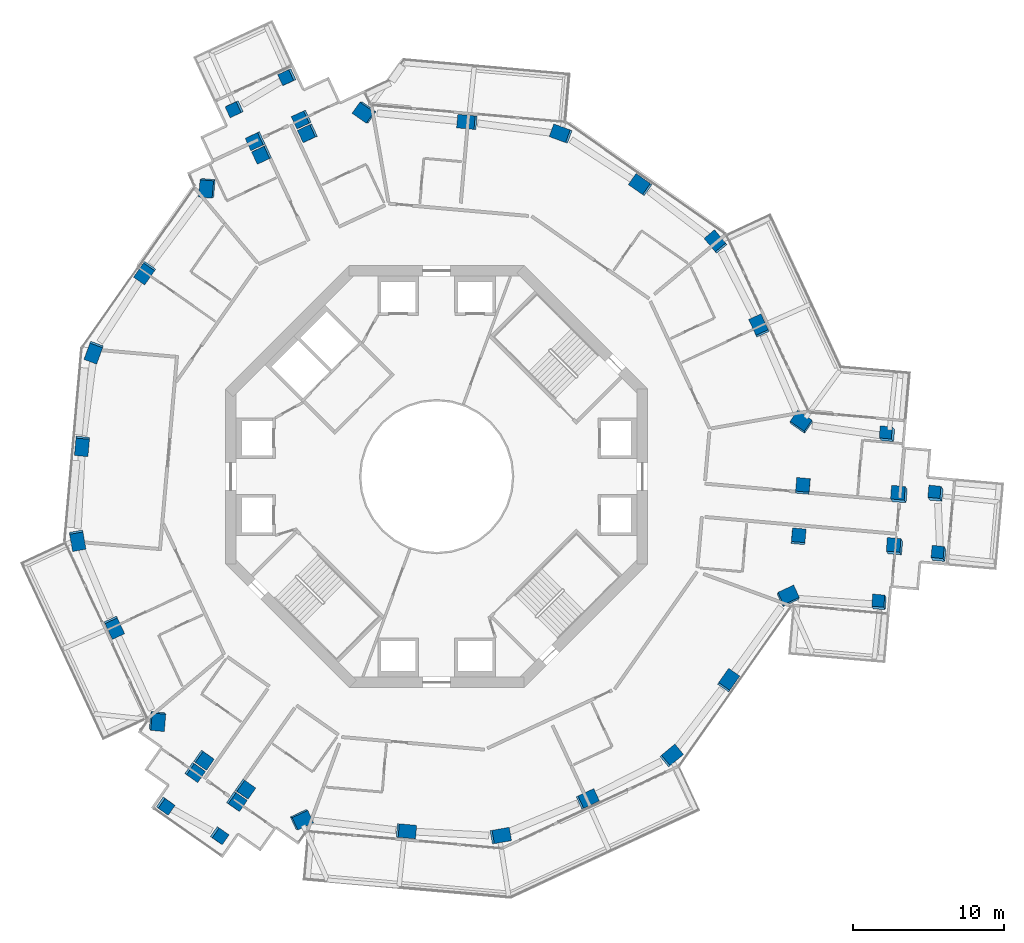
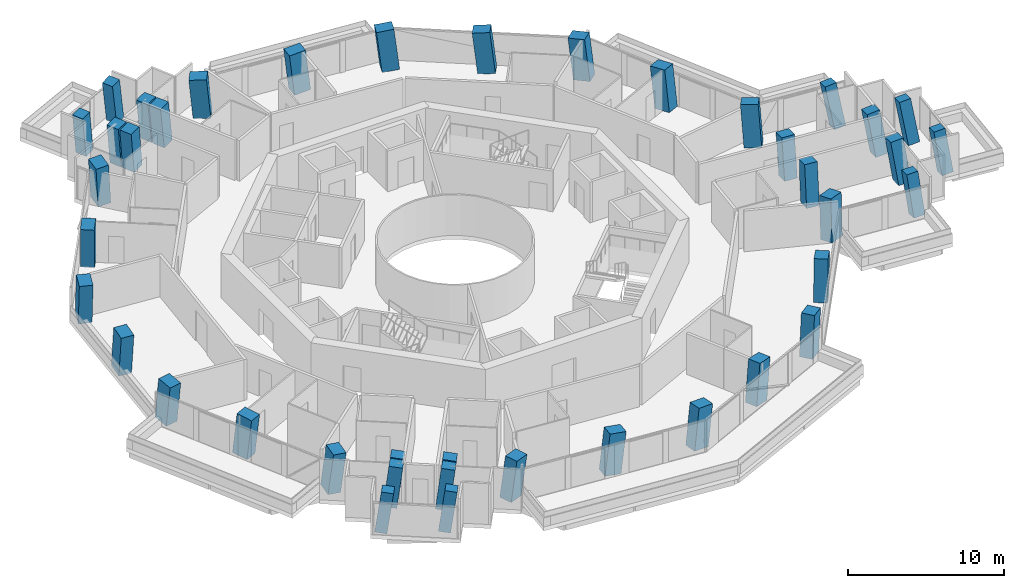
# One storey, part 1 of 23: 41 columns.
"""IFC4 building model written with IfcOpenShell, lengths in metres."""

from ifc_helpers import new_model, si_unit, direction, frame, origin, origin_2d, place, context, subcontext, project, spatial, rectangle, extrude, material, material_profile, profile_set, type_object, element, save


model = new_model("IFC4")

# Units and contexts
model_context = context("Model", 3, precision=1e-05, world=origin(), true_north=direction((0.0, 1.0)))
body_context = subcontext(model_context, "Body", "Model", "MODEL_VIEW")
ifc_project = project(units=[si_unit("LENGTHUNIT", "METRE"), si_unit("AREAUNIT", "SQUARE_METRE"), si_unit("VOLUMEUNIT", "CUBIC_METRE"), si_unit("PLANEANGLEUNIT", "RADIAN"), si_unit("MASSUNIT", "GRAM", prefix="KILO")], contexts=[model_context])

# Site, building, storey
site_placement = place(None, origin())
site = spatial("IfcSite", under=ifc_project, at=site_placement, CompositionType="ELEMENT")
building_placement = place(site_placement, origin())
building = spatial("IfcBuilding", under=site, at=building_placement, Name="Verdalira Terraces Hotel", CompositionType="ELEMENT")
storey_placement = place(building_placement, frame((0.0, 0.0, 136.5)))
storey = spatial("IfcBuildingStorey", under=building, at=storey_placement, Name="L32", CompositionType="ELEMENT", Elevation=136.5)

# Columns
ifc_material_1 = material(Name="Concrete C60", Category="concrete")
ifc_material_profile_1 = material_profile(ifc_material_1, rectangle(XDim=1.149902, YDim=0.899902, at=origin_2d()), Name="RC 1150X900")
ifc_profile_set_1 = profile_set([ifc_material_profile_1], Name="Concrete C60")
column_type_1 = type_object("IfcColumnType", Name="Column RC 1150X900 C60", PredefinedType="COLUMN", material=ifc_profile_set_1)
column_1_placement = place(storey_placement, frame((-15.186279, 19.166504, 0.0), z_axis=(-0.090534241, -0.072974703, 0.993216111), x_axis=(0.080826173, 0.993483318, 0.080361852)))
element("IfcColumn", 1, at=column_1_placement, inside=storey, type_object=column_type_1, Name="Column C01", PredefinedType="COLUMN", context=body_context, shape_type="SweptSolid", body=[
    extrude(rectangle(XDim=1.149902, YDim=0.899902, at=origin_2d()), origin(), (0.0, 0.0, 1.0), 3.21167),
])
column_2_placement = place(storey_placement, frame((-19.329346, 13.554688, 0.0), z_axis=(-0.063730151, -0.092477164, 0.993673207), x_axis=(-0.57078057, -0.813386058, -0.112306105)))
element("IfcColumn", 2, at=column_2_placement, inside=storey, type_object=column_type_1, Name="Column C02", PredefinedType="COLUMN", context=body_context, shape_type="SweptSolid", body=[
    extrude(rectangle(XDim=1.149902, YDim=0.899902, at=origin_2d()), origin(), (0.0, 0.0, 1.0), 3.210205),
])
column_3_placement = place(storey_placement, frame((-22.727783, 8.290283, 0.0), z_axis=(-0.038545284, -0.108413363, 0.993358346), x_axis=(0.340705914, 0.933103009, 0.115057614)))
element("IfcColumn", 3, at=column_3_placement, inside=storey, type_object=column_type_1, Name="Column C03", PredefinedType="COLUMN", context=body_context, shape_type="SweptSolid", body=[
    extrude(rectangle(XDim=1.149902, YDim=0.899902, at=origin_2d()), origin(), (0.0, 0.0, 1.0), 3.211182),
])
column_4_placement = place(storey_placement, frame((-23.51709, 2.073975, 0.0), z_axis=(-0.008897896, -0.111946178, 0.993674434), x_axis=(-0.087134884, -0.989847104, -0.112295249)))
element("IfcColumn", 4, at=column_4_placement, inside=storey, type_object=column_type_1, Name="Column C04", PredefinedType="COLUMN", context=body_context, shape_type="SweptSolid", body=[
    extrude(rectangle(XDim=1.149902, YDim=0.899902, at=origin_2d()), origin(), (0.0, 0.0, 1.0), 3.210205),
])
column_5_placement = place(storey_placement, frame((-23.828125, -4.184326, 0.0), z_axis=(0.020907251, -0.113127235, 0.993360516), x_axis=(-0.172228343, 0.978316643, 0.115038876)))
element("IfcColumn", 5, at=column_5_placement, inside=storey, type_object=column_type_1, Name="Column C05", PredefinedType="COLUMN", context=body_context, shape_type="SweptSolid", body=[
    extrude(rectangle(XDim=1.149902, YDim=0.899902, at=origin_2d()), origin(), (0.0, 0.0, 1.0), 3.211182),
])
column_6_placement = place(storey_placement, frame((-21.40332, -9.962402, 0.0), z_axis=(0.048216176, -0.101375651, 0.993679112), x_axis=(0.419168471, -0.90094221, -0.112253848)))
element("IfcColumn", 6, at=column_6_placement, inside=storey, type_object=column_type_1, Name="Column C06", PredefinedType="COLUMN", context=body_context, shape_type="SweptSolid", body=[
    extrude(rectangle(XDim=1.149902, YDim=0.899902, at=origin_2d()), origin(), (0.0, 0.0, 1.0), 3.210205),
])
column_7_placement = place(storey_placement, frame((-18.55957, -16.19043, 0.0), z_axis=(0.077680582, -0.087561673, 0.993125712), x_axis=(0.094435426, 0.992303143, 0.080102573)))
element("IfcColumn", 7, at=column_7_placement, inside=storey, type_object=column_type_1, Name="Column C07", PredefinedType="COLUMN", context=body_context, shape_type="SweptSolid", body=[
    extrude(rectangle(XDim=1.149902, YDim=0.899902, at=origin_2d()), origin(), (0.0, 0.0, 1.0), 3.211914),
])
column_8_placement = place(storey_placement, frame((-9.005615, -22.735107, 0.0), z_axis=(0.108473902, -0.041884457, 0.993216545), x_axis=(-0.90066997, -0.427008184, 0.080359294)))
element("IfcColumn", 8, at=column_8_placement, inside=storey, type_object=column_type_1, Name="Column C10", PredefinedType="COLUMN", context=body_context, shape_type="SweptSolid", body=[
    extrude(rectangle(XDim=1.149902, YDim=0.899902, at=origin_2d()), origin(), (0.0, 0.0, 1.0), 3.21167),
])
column_9_placement = place(storey_placement, frame((-2.073975, -23.51709, 0.0), z_axis=(0.111946178, -0.008897896, 0.993674434), x_axis=(0.989847104, -0.087134884, -0.112295249)))
element("IfcColumn", 9, at=column_9_placement, inside=storey, type_object=column_type_1, Name="Column C11", PredefinedType="COLUMN", context=body_context, shape_type="SweptSolid", body=[
    extrude(rectangle(XDim=1.149902, YDim=0.899902, at=origin_2d()), origin(), (0.0, 0.0, 1.0), 3.210205),
])
column_10_placement = place(storey_placement, frame((4.184326, -23.828125, 0.0), z_axis=(0.113127235, 0.020907251, 0.993360516), x_axis=(-0.978316643, -0.172228343, 0.115038876)))
element("IfcColumn", 10, at=column_10_placement, inside=storey, type_object=column_type_1, Name="Column C12", PredefinedType="COLUMN", context=body_context, shape_type="SweptSolid", body=[
    extrude(rectangle(XDim=1.149902, YDim=0.899902, at=origin_2d()), origin(), (0.0, 0.0, 1.0), 3.211182),
])
column_11_placement = place(storey_placement, frame((9.962402, -21.40332, 0.0), z_axis=(0.101375651, 0.048216176, 0.993679112), x_axis=(0.90094221, 0.419168471, -0.112253848)))
element("IfcColumn", 11, at=column_11_placement, inside=storey, type_object=column_type_1, Name="Column C13", PredefinedType="COLUMN", context=body_context, shape_type="SweptSolid", body=[
    extrude(rectangle(XDim=1.149902, YDim=0.899902, at=origin_2d()), origin(), (0.0, 0.0, 1.0), 3.210205),
])
column_12_placement = place(storey_placement, frame((15.537842, -18.543457, 0.0), z_axis=(0.087582452, 0.074581932, 0.993361389), x_axis=(-0.761738409, -0.637591081, 0.115031341)))
element("IfcColumn", 12, at=column_12_placement, inside=storey, type_object=column_type_1, Name="Column C14", PredefinedType="COLUMN", context=body_context, shape_type="SweptSolid", body=[
    extrude(rectangle(XDim=1.149902, YDim=0.899902, at=origin_2d()), origin(), (0.0, 0.0, 1.0), 3.211182),
])
column_13_placement = place(storey_placement, frame((19.329346, -13.554688, 0.0), z_axis=(0.063730151, 0.092477164, 0.993673207), x_axis=(0.57078057, 0.813386058, -0.112306105)))
element("IfcColumn", 13, at=column_13_placement, inside=storey, type_object=column_type_1, Name="Column C15", PredefinedType="COLUMN", context=body_context, shape_type="SweptSolid", body=[
    extrude(rectangle(XDim=1.149902, YDim=0.899902, at=origin_2d()), origin(), (0.0, 0.0, 1.0), 3.210205),
])
column_14_placement = place(storey_placement, frame((23.301025, -7.977783, 0.0), z_axis=(0.037016078, 0.111048235, 0.99312542), x_axis=(-0.906670457, -0.414164203, 0.080104272)))
element("IfcColumn", 14, at=column_14_placement, inside=storey, type_object=column_type_1, Name="Column C16", PredefinedType="COLUMN", context=body_context, shape_type="SweptSolid", body=[
    extrude(rectangle(XDim=1.149902, YDim=0.899902, at=origin_2d()), origin(), (0.0, 0.0, 1.0), 3.211914),
])
column_15_placement = place(storey_placement, frame((24.191895, 3.568604, 0.0), z_axis=(-0.01793968, 0.114859561, 0.993219739), x_axis=(0.820036347, -0.566644336, 0.080340439)))
element("IfcColumn", 15, at=column_15_placement, inside=storey, type_object=column_type_1, Name="Column C21", PredefinedType="COLUMN", context=body_context, shape_type="SweptSolid", body=[
    extrude(rectangle(XDim=1.149902, YDim=0.899902, at=origin_2d()), origin(), (0.0, 0.0, 1.0), 3.21167),
])
column_16_placement = place(storey_placement, frame((21.40332, 9.962402, 0.0), z_axis=(-0.048216176, 0.101375651, 0.993679112), x_axis=(-0.419168471, 0.90094221, -0.112253848)))
element("IfcColumn", 16, at=column_16_placement, inside=storey, type_object=column_type_1, Name="Column C22", PredefinedType="COLUMN", context=body_context, shape_type="SweptSolid", body=[
    extrude(rectangle(XDim=1.149902, YDim=0.899902, at=origin_2d()), origin(), (0.0, 0.0, 1.0), 3.210205),
])
column_17_placement = place(storey_placement, frame((18.543457, 15.537842, 0.0), z_axis=(-0.074581932, 0.087582452, 0.993361389), x_axis=(0.637591081, -0.761738409, 0.115031341)))
element("IfcColumn", 17, at=column_17_placement, inside=storey, type_object=column_type_1, Name="Column C23", PredefinedType="COLUMN", context=body_context, shape_type="SweptSolid", body=[
    extrude(rectangle(XDim=1.149902, YDim=0.899902, at=origin_2d()), origin(), (0.0, 0.0, 1.0), 3.211182),
])
column_18_placement = place(storey_placement, frame((13.554688, 19.329346, 0.0), z_axis=(-0.092477164, 0.063730151, 0.993673207), x_axis=(-0.813386058, 0.57078057, -0.112306105)))
element("IfcColumn", 18, at=column_18_placement, inside=storey, type_object=column_type_1, Name="Column C24", PredefinedType="COLUMN", context=body_context, shape_type="SweptSolid", body=[
    extrude(rectangle(XDim=1.149902, YDim=0.899902, at=origin_2d()), origin(), (0.0, 0.0, 1.0), 3.210205),
])
column_19_placement = place(storey_placement, frame((8.290283, 22.727783, 0.0), z_axis=(-0.108413363, 0.038545284, 0.993358346), x_axis=(0.933103009, -0.340705914, 0.115057614)))
element("IfcColumn", 19, at=column_19_placement, inside=storey, type_object=column_type_1, Name="Column C25", PredefinedType="COLUMN", context=body_context, shape_type="SweptSolid", body=[
    extrude(rectangle(XDim=1.149902, YDim=0.899902, at=origin_2d()), origin(), (0.0, 0.0, 1.0), 3.211182),
])
column_20_placement = place(storey_placement, frame((2.073975, 23.51709, 0.0), z_axis=(-0.111946178, 0.008897896, 0.993674434), x_axis=(-0.989847104, 0.087134884, -0.112295249)))
element("IfcColumn", 20, at=column_20_placement, inside=storey, type_object=column_type_1, Name="Column C26", PredefinedType="COLUMN", context=body_context, shape_type="SweptSolid", body=[
    extrude(rectangle(XDim=1.149902, YDim=0.899902, at=origin_2d()), origin(), (0.0, 0.0, 1.0), 3.210205),
])
column_21_placement = place(storey_placement, frame((-4.741455, 24.168213, 0.0), z_axis=(-0.114771355, -0.023486324, 0.993114258), x_axis=(0.81200493, -0.578118427, 0.080169053)))
element("IfcColumn", 21, at=column_21_placement, inside=storey, type_object=column_type_1, Name="Column C27", PredefinedType="COLUMN", context=body_context, shape_type="SweptSolid", body=[
    extrude(rectangle(XDim=1.149902, YDim=0.899902, at=origin_2d()), origin(), (0.0, 0.0, 1.0), 3.212158),
])
ifc_material_2 = material(Name="Concrete C60", Category="concrete")
ifc_material_profile_2 = material_profile(ifc_material_2, rectangle(XDim=0.800049, YDim=0.800049, at=origin_2d()), Name="RC 800X800")
ifc_profile_set_2 = profile_set([ifc_material_profile_2], Name="Concrete C60")
column_type_2 = type_object("IfcColumnType", Name="Column RC 800X800 C60", PredefinedType="COLUMN", material=ifc_profile_set_2)
column_22_placement = place(storey_placement, frame((-18.038086, -21.803711, 0.0), z_axis=(0.104205823, -0.084714632, 0.990941258), x_axis=(0.812221673, -0.567761849, -0.133949377)))
element("IfcColumn", 22, at=column_22_placement, inside=storey, type_object=column_type_2, Name="Column C08", PredefinedType="COLUMN", context=body_context, shape_type="SweptSolid", body=[
    extrude(rectangle(XDim=0.800049, YDim=0.800049, at=origin_2d()), origin(), (0.0, 0.0, 1.0), 3.218994),
])
column_23_placement = place(storey_placement, frame((-14.461182, -23.774658, 0.0), z_axis=(0.113416824, -0.067670774, 0.991240279), x_axis=(0.810958398, -0.570087188, -0.131708295)))
element("IfcColumn", 23, at=column_23_placement, inside=storey, type_object=column_type_2, Name="Column C09", PredefinedType="COLUMN", context=body_context, shape_type="SweptSolid", body=[
    extrude(rectangle(XDim=0.800049, YDim=0.800049, at=origin_2d()), origin(), (0.0, 0.0, 1.0), 3.218018),
])
column_24_placement = place(storey_placement, frame((29.387207, -8.404297, 0.0), z_axis=(-0.079002629, 0.147441392, 0.985910554), x_axis=(0.993079712, -0.074571483, 0.090729155)))
element("IfcColumn", 24, at=column_24_placement, inside=storey, type_object=column_type_2, Name="Column C17", PredefinedType="COLUMN", context=body_context, shape_type="SweptSolid", body=[
    extrude(rectangle(XDim=0.800049, YDim=0.800049, at=origin_2d()), origin(), (0.0, 0.0, 1.0), 3.235596),
])
column_25_placement = place(storey_placement, frame((33.343994, -5.199463, 0.0), z_axis=(-0.093849852, 0.165232846, 0.981779156), x_axis=(0.103755652, 0.982385072, -0.155416651)))
element("IfcColumn", 25, at=column_25_placement, inside=storey, type_object=column_type_2, Name="Column C18", PredefinedType="COLUMN", context=body_context, shape_type="SweptSolid", body=[
    extrude(rectangle(XDim=0.800049, YDim=0.800049, at=origin_2d()), origin(), (0.0, 0.0, 1.0), 3.249023),
])
column_26_placement = place(storey_placement, frame((33.154053, -1.207275, 0.0), z_axis=(-0.112435064, 0.163964677, 0.980037724), x_axis=(0.106386445, 0.982608894, -0.152189634)))
element("IfcColumn", 26, at=column_26_placement, inside=storey, type_object=column_type_2, Name="Column C19", PredefinedType="COLUMN", context=body_context, shape_type="SweptSolid", body=[
    extrude(rectangle(XDim=0.800049, YDim=0.800049, at=origin_2d()), origin(), (0.0, 0.0, 1.0), 3.254883),
])
column_27_placement = place(storey_placement, frame((29.949219, 2.749512, 0.0), z_axis=(-0.130904497, 0.14875852, 0.98017086), x_axis=(-0.987578982, 0.067096208, -0.142076925)))
element("IfcColumn", 27, at=column_27_placement, inside=storey, type_object=column_type_2, Name="Column C20", PredefinedType="COLUMN", context=body_context, shape_type="SweptSolid", body=[
    extrude(rectangle(XDim=0.800049, YDim=0.800049, at=origin_2d()), origin(), (0.0, 0.0, 1.0), 3.254395),
])
column_28_placement = place(storey_placement, frame((-9.863525, 26.523193, 0.0), z_axis=(-0.125441971, -0.047856036, 0.990946069), x_axis=(-0.897874634, -0.419390262, -0.133913967)))
element("IfcColumn", 28, at=column_28_placement, inside=storey, type_object=column_type_2, Name="Column C28", PredefinedType="COLUMN", context=body_context, shape_type="SweptSolid", body=[
    extrude(rectangle(XDim=0.800049, YDim=0.800049, at=origin_2d()), origin(), (0.0, 0.0, 1.0), 3.218994),
])
column_29_placement = place(storey_placement, frame((-13.358887, 24.410889, 0.0), z_axis=(-0.115238963, -0.064333535, 0.991252328), x_axis=(-0.899231632, -0.41720397, -0.131618079)))
element("IfcColumn", 29, at=column_29_placement, inside=storey, type_object=column_type_2, Name="Column C29", PredefinedType="COLUMN", context=body_context, shape_type="SweptSolid", body=[
    extrude(rectangle(XDim=0.800049, YDim=0.800049, at=origin_2d()), origin(), (0.0, 0.0, 1.0), 3.218018),
])
ifc_material_3 = material(Name="Concrete C60", Category="concrete")
ifc_material_profile_3 = material_profile(ifc_material_3, rectangle(XDim=0.899902, YDim=0.899902, at=origin_2d()), Name="RC 900X900")
ifc_profile_set_3 = profile_set([ifc_material_profile_3], Name="Concrete C60")
column_type_3 = type_object("IfcColumnType", Name="Column RC 900X900 C60", PredefinedType="COLUMN", material=ifc_profile_set_3)
for number, where, z_axis, x_axis, name in (
    (30, (-8.508301, 22.797119, 0.0), (-0.108025536, -0.041355307, 0.993287583), (-0.4211539, 0.906953537, -0.008042015), "Column C30"),
    (31, (-11.55127, 21.380859, 0.0), (-0.101185086, -0.05580004, 0.993301532), (-0.423024124, 0.906084777, 0.007808137), "Column C31"),
):
    element("IfcColumn", number, at=place(storey_placement, frame(where, z_axis=z_axis, x_axis=x_axis)), inside=storey, type_object=column_type_3, Name=name, PredefinedType="COLUMN", context=body_context, shape_type="SweptSolid", body=[
        extrude(rectangle(XDim=0.899902, YDim=0.899902, at=origin_2d()), origin(), (0.0, 0.0, 1.0), 3.211426),
    ])
column_30_placement = place(storey_placement, frame((-8.915039, 23.710693, 0.0), z_axis=(-0.11229609, -0.043231715, 0.992733905), x_axis=(-0.42060935, 0.907205946, -0.008071364)))
element("IfcColumn", 32, at=column_30_placement, inside=storey, type_object=column_type_3, Name="Column C32", PredefinedType="COLUMN", context=body_context, shape_type="SweptSolid", body=[
    extrude(rectangle(XDim=0.899902, YDim=0.899902, at=origin_2d()), origin(), (0.0, 0.0, 1.0), 3.213379),
])
column_31_placement = place(storey_placement, frame((-11.973145, 22.287354, 0.0), z_axis=(-0.105459281, -0.057744275, 0.992745657), x_axis=(-0.422473526, 0.906341364, 0.007839138)))
element("IfcColumn", 33, at=column_31_placement, inside=storey, type_object=column_type_3, Name="Column C33", PredefinedType="COLUMN", context=body_context, shape_type="SweptSolid", body=[
    extrude(rectangle(XDim=0.899902, YDim=0.899902, at=origin_2d()), origin(), (0.0, 0.0, 1.0), 3.213135),
])
for number, where, z_axis, x_axis, name in (
    (34, (-15.48877, -18.76709, 0.0), (0.089856146, -0.07290359, 0.99328291), (-0.574896427, -0.818186641, -0.008044804), "Column C34"),
    (35, (-12.740723, -20.694092, 0.0), (0.098904408, -0.059753163, 0.993301303), (-0.573373422, -0.81925695, 0.00780827), "Column C35"),
):
    element("IfcColumn", number, at=place(storey_placement, frame(where, z_axis=z_axis, x_axis=x_axis)), inside=storey, type_object=column_type_3, Name=name, PredefinedType="COLUMN", context=body_context, shape_type="SweptSolid", body=[
        extrude(rectangle(XDim=0.899902, YDim=0.899902, at=origin_2d()), origin(), (0.0, 0.0, 1.0), 3.211426),
    ])
column_32_placement = place(storey_placement, frame((-16.07666, -19.576172, 0.0), z_axis=(0.09368082, -0.075598067, 0.992727977), x_axis=(-0.574764351, -0.818279134, -0.008074644)))
element("IfcColumn", 36, at=column_32_placement, inside=storey, type_object=column_type_3, Name="Column C36", PredefinedType="COLUMN", context=body_context, shape_type="SweptSolid", body=[
    extrude(rectangle(XDim=0.899902, YDim=0.899902, at=origin_2d()), origin(), (0.0, 0.0, 1.0), 3.213379),
])
column_33_placement = place(storey_placement, frame((-13.314697, -21.512695, 0.0), z_axis=(0.102724191, -0.062455093, 0.99274725), x_axis=(-0.573707052, -0.819023064, 0.007838281)))
element("IfcColumn", 37, at=column_33_placement, inside=storey, type_object=column_type_3, Name="Column C37", PredefinedType="COLUMN", context=body_context, shape_type="SweptSolid", body=[
    extrude(rectangle(XDim=0.899902, YDim=0.899902, at=origin_2d()), origin(), (0.0, 0.0, 1.0), 3.213135),
])
for number, where, z_axis, x_axis, name in (
    (38, (23.99707, -4.030273, 0.0), (0.01816876, 0.114333953, 0.993276217), (0.996056181, -0.088358934, -0.008048798), "Column C38"),
    (39, (24.291992, -0.686768, 0.0), (0.002280649, 0.115552888, 0.993298711), (0.996195581, -0.086794997, 0.007809776), "Column C39"),
):
    element("IfcColumn", number, at=place(storey_placement, frame(where, z_axis=z_axis, x_axis=x_axis)), inside=storey, type_object=column_type_3, Name=name, PredefinedType="COLUMN", context=body_context, shape_type="SweptSolid", body=[
        extrude(rectangle(XDim=0.899902, YDim=0.899902, at=origin_2d()), origin(), (0.0, 0.0, 1.0), 3.211426),
    ])
column_34_placement = place(storey_placement, frame((30.425293, -4.713379, 0.0), z_axis=(-0.096218711, 0.151781629, 0.983719623), x_axis=(0.991568926, -0.071561392, 0.108027924)))
element("IfcColumn", 40, at=column_34_placement, inside=storey, type_object=column_type_3, Name="Column C40", PredefinedType="COLUMN", context=body_context, shape_type="SweptSolid", body=[
    extrude(rectangle(XDim=0.899902, YDim=0.899902, at=origin_2d()), origin(), (0.0, 0.0, 1.0), 3.242676),
])
column_35_placement = place(storey_placement, frame((30.730469, -1.254639, 0.0), z_axis=(-0.112341718, 0.152844853, 0.981844076), x_axis=(0.989870389, -0.06910903, 0.124018368)))
element("IfcColumn", 41, at=column_35_placement, inside=storey, type_object=column_type_3, Name="Column C41", PredefinedType="COLUMN", context=body_context, shape_type="SweptSolid", body=[
    extrude(rectangle(XDim=0.899902, YDim=0.899902, at=origin_2d()), origin(), (0.0, 0.0, 1.0), 3.249023),
])

save(model, "model.ifc")
